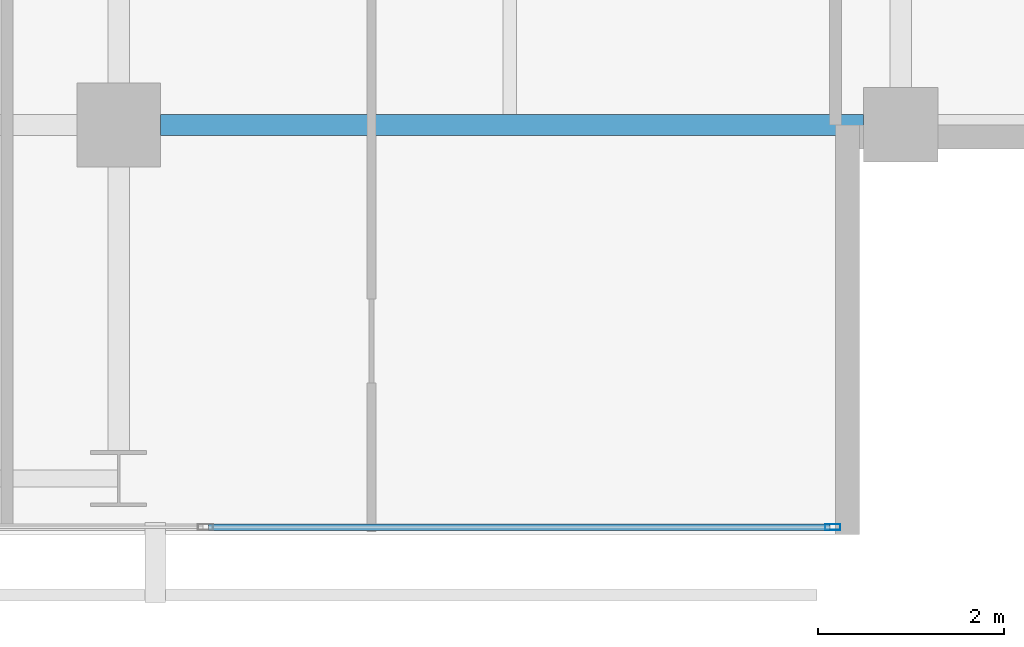
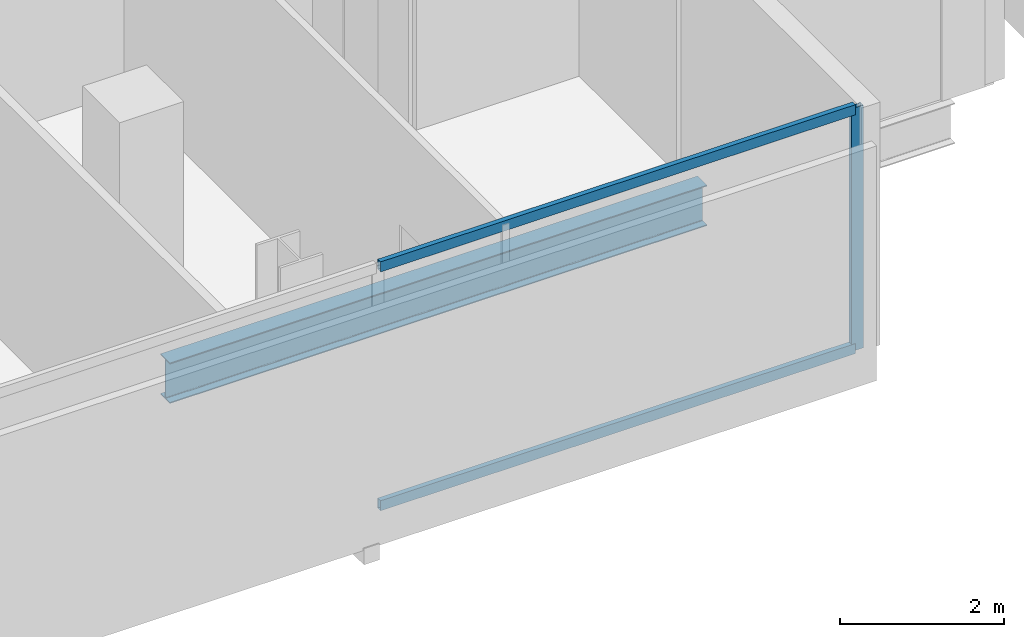
# One storey, part 13 of 34: 3 members, 1 beam, 1 element without a shape of its own.
"""IFC4 building model written with IfcOpenShell, lengths in metres."""

from ifc_helpers import new_model, si_unit, direction, frame, origin, origin_2d, place, context, subcontext, project, spatial, hollow_rectangle, i_section, extrude, material, layer, layer_set, material_profile, profile_set, type_object, element, aggregate, save


model = new_model("IFC4")

# Units and contexts
model_context = context("Model", 3, precision=1e-05, world=origin(), true_north=direction((0.0, 1.0)))
body_context = subcontext(model_context, "Body", "Model", "MODEL_VIEW")
ifc_project = project(units=[si_unit("LENGTHUNIT", "METRE"), si_unit("AREAUNIT", "SQUARE_METRE"), si_unit("VOLUMEUNIT", "CUBIC_METRE"), si_unit("PLANEANGLEUNIT", "RADIAN"), si_unit("MASSUNIT", "GRAM", prefix="KILO")], contexts=[model_context])

# Site, building, storey
site_placement = place(None, origin())
site = spatial("IfcSite", under=ifc_project, at=site_placement, CompositionType="ELEMENT")
building_placement = place(site_placement, origin())
building = spatial("IfcBuilding", under=site, at=building_placement, Name="Maruvema Waterfront Hotel and Observation Tower", CompositionType="ELEMENT")
storey_placement = place(building_placement, frame((0.0, 0.0, 189.0)))
storey = spatial("IfcBuildingStorey", under=building, at=storey_placement, Name="L46", CompositionType="ELEMENT", Elevation=189.0)

# Curtain wall, members
ifc_material_1 = material(Name="Anodised bronze aluminium and solar-control low-E IGU", Category="aluminium")
ifc_layer = layer(ifc_material_1, 0.159912109375, Name="Zone 2 Amber Inner Thermal Curtain Wall System CW-03")
ifc_layer_set = layer_set([ifc_layer], Name="Anodised bronze aluminium and solar-control low-E IGU")
curtain_wall_type = type_object("IfcCurtainWallType", Name="Zone 2 Amber Inner Thermal Curtain Wall System CW-03", PredefinedType="USERDEFINED", material=ifc_layer_set)
curtain_wall_placement = place(storey_placement, origin())
curtain_wall = element("IfcCurtainWall", 1, at=curtain_wall_placement, inside=storey, type_object=curtain_wall_type, Name="L46 Curtain Wall CW-L46-S", ObjectType="UNITISED CURTAIN WALL", PredefinedType="USERDEFINED")
ifc_material_2 = material(Name="Anodised architectural bronze aluminium", Category="aluminium")
ifc_material_profile_1 = material_profile(ifc_material_2, hollow_rectangle(XDim=0.070068359375, YDim=0.14990234375, WallThickness=0.00390625, at=origin_2d()), Name="ALU-T70x150")
ifc_profile_set_1 = profile_set([ifc_material_profile_1], Name="Anodised architectural bronze aluminium")
member_type_1 = type_object("IfcMemberType", Name="Curtain Wall Horizontal Transom ALU-T70x150", PredefinedType="USERDEFINED", material=ifc_profile_set_1)
member_1_placement = place(storey_placement, frame((51.36328125, 4.679931640625, 0.030029296875), z_axis=(1.0, 0.0, 0.0), x_axis=(0.0, 1.0, 0.0)))
member_1 = element("IfcMember", 2, at=member_1_placement, type_object=member_type_1, Name="CW-03 transom 6.1", ObjectType="TRANSOM", PredefinedType="USERDEFINED", context=body_context, shape_type="SweptSolid", body=[
    extrude(hollow_rectangle(XDim=0.070068359375, YDim=0.14990234375, WallThickness=0.00390625, at=origin_2d()), origin(), (0.0, 0.0, 1.0), 6.6767578125),
])
member_2_placement = place(storey_placement, frame((51.36328125, 4.679931640625, 3.580078125), z_axis=(1.0, 0.0, 0.0), x_axis=(0.0, 1.0, 0.0)))
member_2 = element("IfcMember", 3, at=member_2_placement, type_object=member_type_1, Name="CW-03 transom 6.2", ObjectType="TRANSOM", PredefinedType="USERDEFINED", context=body_context, shape_type="SweptSolid", body=[
    extrude(hollow_rectangle(XDim=0.070068359375, YDim=0.14990234375, WallThickness=0.00390625, at=origin_2d()), origin(), (0.0, 0.0, 1.0), 6.6767578125),
])
ifc_material_3 = material(Name="Anodised architectural bronze aluminium", Category="aluminium")
ifc_material_profile_2 = material_profile(ifc_material_3, hollow_rectangle(XDim=0.06494140625, YDim=0.1650390625, WallThickness=0.00390625, at=origin_2d()), Name="ALU-M65x165")
ifc_profile_set_2 = profile_set([ifc_material_profile_2], Name="Anodised architectural bronze aluminium")
member_type_2 = type_object("IfcMemberType", Name="Curtain Wall Primary Mullion ALU-M65x165", PredefinedType="MULLION", material=ifc_profile_set_2)
member_3_placement = place(storey_placement, frame((58.070068359375, 4.679931640625, 0.0), z_axis=(0.0, 0.0, 1.0), x_axis=(0.0, 1.0, 0.0)))
member_3 = element("IfcMember", 4, at=member_3_placement, type_object=member_type_2, Name="CW-03 mullion 7", PredefinedType="MULLION", context=body_context, shape_type="SweptSolid", body=[
    extrude(hollow_rectangle(XDim=0.06494140625, YDim=0.1650390625, WallThickness=0.00390625, at=origin_2d()), origin(), (0.0, 0.0, 1.0), 3.610107421875),
])
aggregate(curtain_wall, [member_3, member_1, member_2])

# Beam
ifc_material_4 = material(Name="Steel ASTM A572 Grade 50", Category="steel")
ifc_material_profile_3 = material_profile(ifc_material_4, i_section(OverallWidth=0.22802734375, OverallDepth=0.60302734375, WebThickness=0.010498046875, FlangeThickness=0.014892578125, FilletRadius=0.01806640625, at=origin_2d()), Name="W610x101.0")
ifc_profile_set_3 = profile_set([ifc_material_profile_3], Name="Steel ASTM A572 Grade 50")
beam_type = type_object("IfcBeamType", Name="Primary Floor Girder W610x101.0", PredefinedType="BEAM", material=ifc_profile_set_3)
beam_placement = place(storey_placement, frame((50.85009765625, 9.0, -0.54150390625), z_axis=(1.0, 0.0, 0.0), x_axis=(0.0, 1.0, 0.0)))
element("IfcBeam", 5, at=beam_placement, inside=storey, type_object=beam_type, Name="L46 Floor Girder EW-09", PredefinedType="BEAM", context=body_context, shape_type="SweptSolid", body=[
    extrude(i_section(OverallWidth=0.22802734375, OverallDepth=0.60302734375, WebThickness=0.010498046875, FlangeThickness=0.014892578125, FilletRadius=0.01806640625, at=origin_2d()), origin(), (0.0, 0.0, 1.0), 7.5498046875),
])

save(model, "model.ifc")
